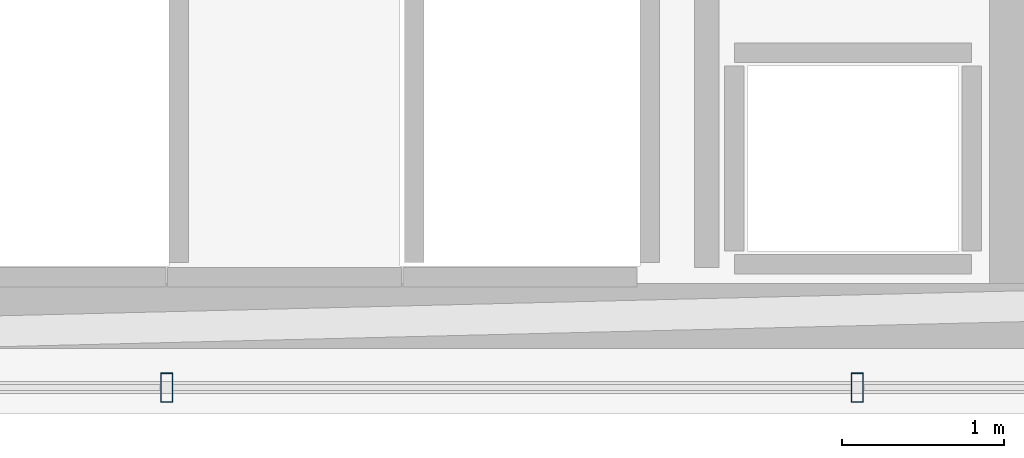
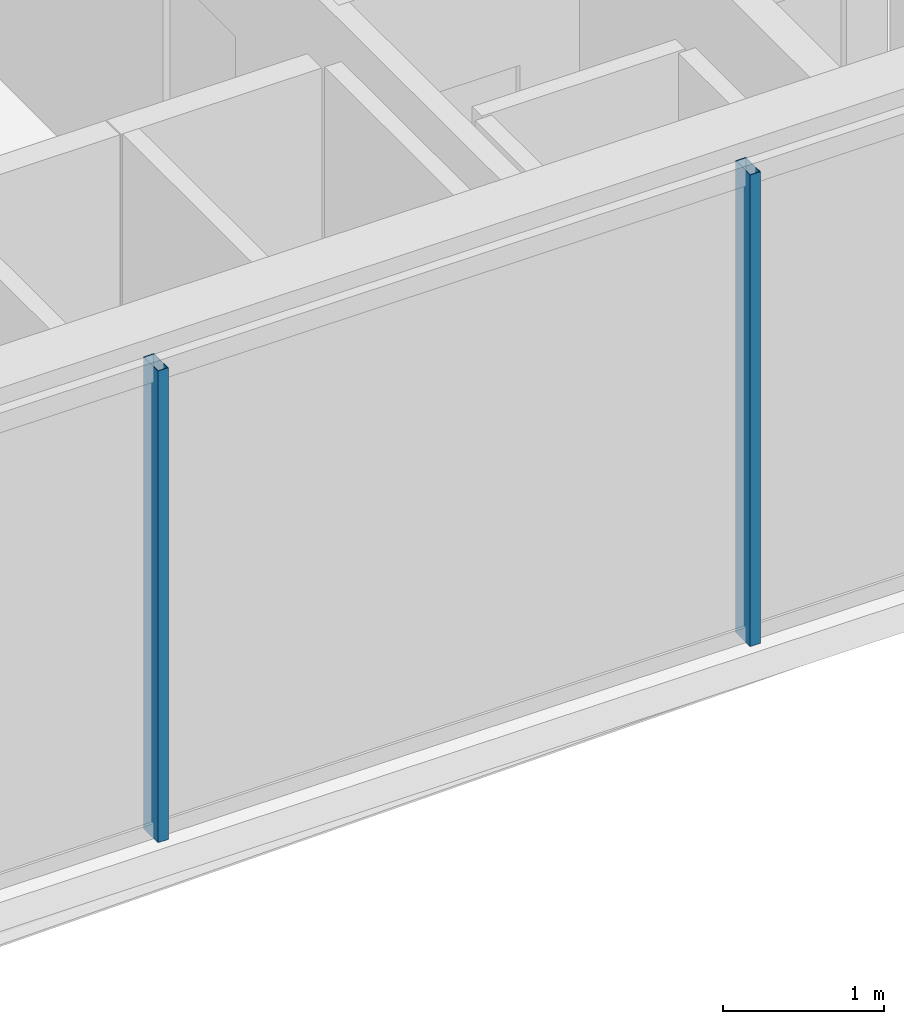
# One storey, part 8 of 34: 2 members, 1 element without a shape of its own.
"""IFC4 building model written with IfcOpenShell, lengths in metres."""

from ifc_helpers import new_model, si_unit, direction, frame, origin, origin_2d, place, context, subcontext, project, spatial, hollow_rectangle, extrude, material, layer, layer_set, material_profile, profile_set, type_object, element, aggregate, save


model = new_model("IFC4")

# Units and contexts
model_context = context("Model", 3, precision=1e-05, world=origin(), true_north=direction((0.0, 1.0)))
body_context = subcontext(model_context, "Body", "Model", "MODEL_VIEW")
ifc_project = project(units=[si_unit("LENGTHUNIT", "METRE"), si_unit("AREAUNIT", "SQUARE_METRE"), si_unit("VOLUMEUNIT", "CUBIC_METRE"), si_unit("PLANEANGLEUNIT", "RADIAN"), si_unit("MASSUNIT", "GRAM", prefix="KILO")], contexts=[model_context])

# Site, building, storey
site_placement = place(None, origin())
site = spatial("IfcSite", under=ifc_project, at=site_placement, CompositionType="ELEMENT")
building_placement = place(site_placement, origin())
building = spatial("IfcBuilding", under=site, at=building_placement, Name="Ndaravel Arena Tower", CompositionType="ELEMENT")
storey_placement = place(building_placement, frame((0.0, 0.0, 195.39990234375)))
storey = spatial("IfcBuildingStorey", under=building, at=storey_placement, Name="L47", CompositionType="ELEMENT", Elevation=195.39990234375)

# Curtain wall, members
ifc_material_1 = material(Name="Aluminium", Category="aluminium")
ifc_layer = layer(ifc_material_1, 0.179931640625)
ifc_layer_set = layer_set([ifc_layer], Name="Aluminium")
curtain_wall_type = type_object("IfcCurtainWallType", Name="CW-SYS-03", PredefinedType="NOTDEFINED", material=ifc_layer_set)
curtain_wall_placement = place(storey_placement, origin())
curtain_wall = element("IfcCurtainWall", 1, at=curtain_wall_placement, inside=storey, type_object=curtain_wall_type, Name="L47 Faceted Crystal Curtain Wall CW-L47-E01", PredefinedType="NOTDEFINED")
ifc_material_2 = material(Name="Aluminium", Category="aluminium")
ifc_material_profile = material_profile(ifc_material_2, hollow_rectangle(XDim=0.074951171875, YDim=0.179931640625, WallThickness=0.00390625, at=origin_2d()), Name="CW MULLION 75x180x4")
ifc_profile_set = profile_set([ifc_material_profile], Name="Aluminium")
member_type = type_object("IfcMemberType", Name="MEM-CW-MUL180", PredefinedType="MULLION", material=ifc_profile_set)
member_1_placement = place(storey_placement, frame((44.12548828125, 5.159912109375, 0.0), z_axis=(0.0, 0.0, 1.0), x_axis=(1.0, 0.0, 0.0)))
member_1 = element("IfcMember", 2, at=member_1_placement, type_object=member_type, Name="CW-L47-E01 Mullion 05", PredefinedType="MULLION", context=body_context, shape_type="SweptSolid", body=[
    extrude(hollow_rectangle(XDim=0.074951171875, YDim=0.179931640625, WallThickness=0.00390625, at=origin_2d()), origin(), (0.0, 0.0, 1.0), 3.580078125),
])
member_2_placement = place(storey_placement, frame((48.376220703125, 5.159912109375, 0.0), z_axis=(0.0, 0.0, 1.0), x_axis=(1.0, 0.0, 0.0)))
member_2 = element("IfcMember", 3, at=member_2_placement, type_object=member_type, Name="CW-L47-E01 Mullion 06", PredefinedType="MULLION", context=body_context, shape_type="SweptSolid", body=[
    extrude(hollow_rectangle(XDim=0.074951171875, YDim=0.179931640625, WallThickness=0.00390625, at=origin_2d()), origin(), (0.0, 0.0, 1.0), 3.580078125),
])
aggregate(curtain_wall, [member_1, member_2])

save(model, "model.ifc")
